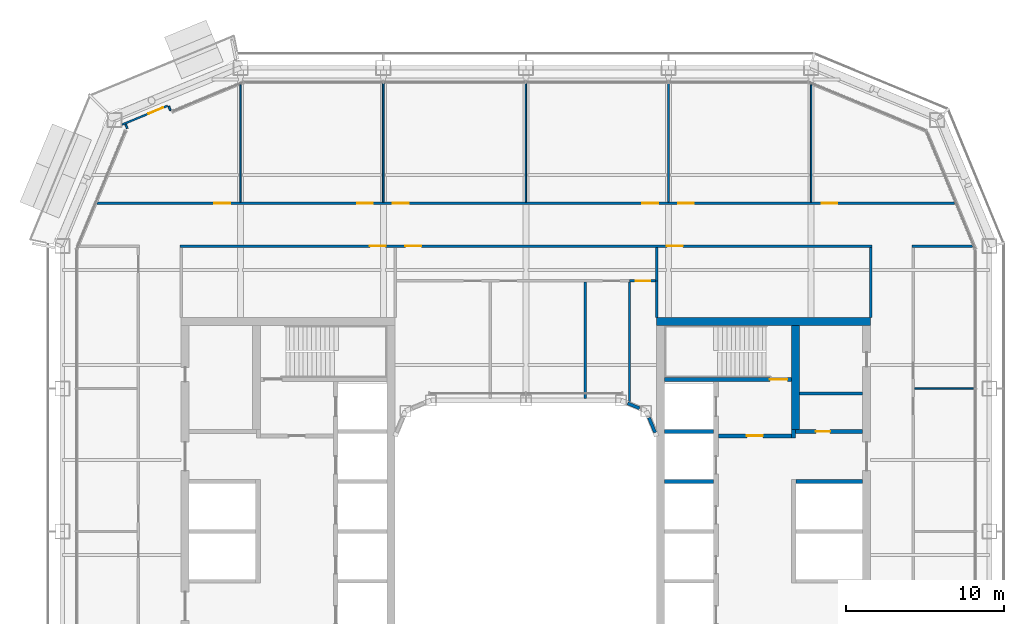
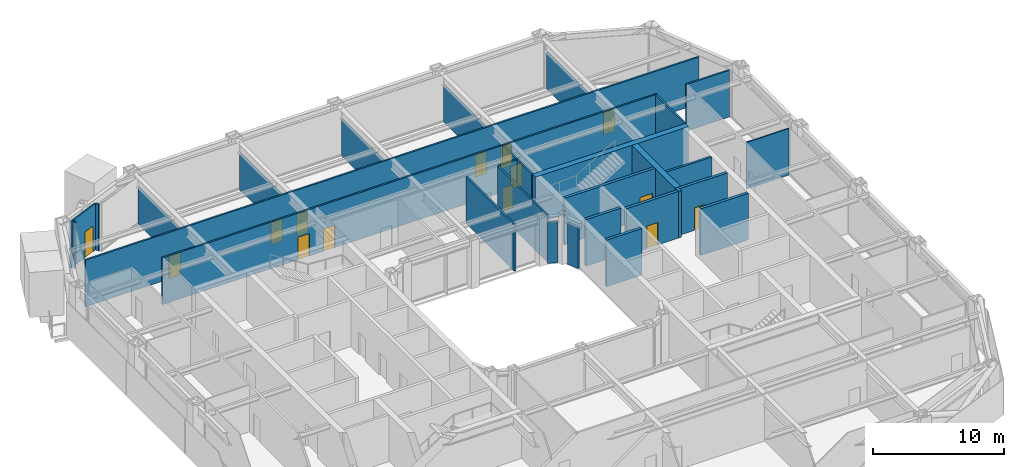
# One storey, part 14 of 23: 30 walls, 14 doors, 14 openings.
"""IFC4 building model written with IfcOpenShell, lengths in metres."""

from ifc_helpers import new_model, si_unit, direction, frame, frame_2d, origin, place, context, subcontext, project, spatial, rectangle, extrude, material, layer, layer_set, type_object, element, fill, save


model = new_model("IFC4")

# Units and contexts
model_context = context("Model", 3, precision=1e-05, world=origin(), true_north=direction((0.0, 1.0)))
body_context = subcontext(model_context, "Body", "Model", "MODEL_VIEW")
ifc_project = project(units=[si_unit("LENGTHUNIT", "METRE"), si_unit("AREAUNIT", "SQUARE_METRE"), si_unit("VOLUMEUNIT", "CUBIC_METRE"), si_unit("PLANEANGLEUNIT", "RADIAN"), si_unit("MASSUNIT", "GRAM", prefix="KILO")], contexts=[model_context])

# Site, building, storey
site_placement = place(None, origin())
site = spatial("IfcSite", under=ifc_project, at=site_placement, CompositionType="ELEMENT")
building_placement = place(site_placement, origin())
building = spatial("IfcBuilding", under=site, at=building_placement, Name="Siwar Civic Tower", CompositionType="ELEMENT")
storey_placement = place(building_placement, frame((0.0, 0.0, 118.199951171875)))
storey = spatial("IfcBuildingStorey", under=building, at=storey_placement, Name="L25", CompositionType="ELEMENT", Elevation=118.199951171875)

# Wall, opening, door
ifc_material_1 = material(Name="Gypsum board on steel studs", Category="steel")
ifc_layer_1 = layer(ifc_material_1, 0.14990234375)
ifc_layer_set_1 = layer_set([ifc_layer_1], Name="Gypsum board on steel studs")
wall_type_1 = type_object("IfcWallType", Name="COMPARTMENT PARTITION 150 EI 60", PredefinedType="PARTITIONING", material=ifc_layer_set_1)
wall_1_placement = place(storey_placement, frame((6.5400390625, 15.800048828125, 0.0), z_axis=(0.0, 0.0, 1.0), x_axis=(1.0, 0.0, 0.0)))
wall_1 = element("IfcWall", 1, at=wall_1_placement, inside=storey, type_object=wall_type_1, Name="L25/wall/P12", PredefinedType="PARTITIONING", context=body_context, shape_type="SweptSolid", body=[
    extrude(rectangle(XDim=1.635009765625, YDim=0.14990234375, at=frame_2d((0.8173828125, 0.0))), origin(), (0.0, 0.0, 1.0), 4.35009765625),
])
opening_1_placement = place(wall_1_placement, frame((0.39990234375, 0.0, 0.0)))
opening_1 = element("IfcOpeningElement", 2, at=opening_1_placement, cuts=wall_1, Name="Opening D4", PredefinedType="OPENING", context=body_context, shape_type="SweptSolid", body=[
    extrude(rectangle(XDim=0.89990234375, YDim=2.10009765625, at=frame_2d((0.449951171875, 1.050048828125))), frame((0.0, 0.0849609375, 0.0), z_axis=(0.0, -1.0, 0.0), x_axis=(1.0, 0.0, 0.0)), (0.0, 0.0, 1.0), 0.169921875),
])
ifc_material_2 = material(Name="Timber, painted", Category="wood")
door_type_1 = type_object("IfcDoorType", Name="DOOR 900 X 2100 FD60", OperationType="SINGLE_SWING_LEFT", PredefinedType="DOOR", material=ifc_material_2)
door_1_placement = place(opening_1_placement, origin())
door_1 = element("IfcDoor", 3, at=door_1_placement, inside=storey, type_object=door_type_1, Name="L25-D17", OperationType="SINGLE_SWING_LEFT", OverallHeight=2.10009765625, OverallWidth=0.89990234375, PredefinedType="DOOR", context=body_context, shape_type="SweptSolid", body=[
    extrude(rectangle(XDim=0.89990234375, YDim=2.10009765625, at=frame_2d((0.449951171875, 1.050048828125))), frame((0.0, 0.02490234375, 0.0), z_axis=(0.0, -1.0, 0.0), x_axis=(1.0, 0.0, 0.0)), (0.0, 0.0, 1.0), 0.050048828125),
])
fill(opening_1, door_1)

# Walls
wall_2_placement = place(storey_placement, frame((6.5400390625, 8.18603515625, 0.0), z_axis=(0.0, 0.0, 1.0), x_axis=(0.0, 1.0, 0.0)))
element("IfcWall", 4, at=wall_2_placement, inside=storey, type_object=wall_type_1, Name="L25/wall/P31", PredefinedType="PARTITIONING", context=body_context, shape_type="SweptSolid", body=[
    extrude(rectangle(XDim=7.5390625, YDim=0.14990234375, at=frame_2d((3.76953125, 0.0))), origin(), (0.0, 0.0, 1.0), 4.35009765625),
])
wall_3_placement = place(storey_placement, frame((8.25, 13.5, 0.0), z_axis=(0.0, 0.0, 1.0), x_axis=(0.0, 1.0, 0.0)))
element("IfcWall", 5, at=wall_3_placement, inside=storey, type_object=wall_type_1, Name="L25/wall/P34", PredefinedType="PARTITIONING", context=body_context, shape_type="SweptSolid", body=[
    extrude(rectangle(XDim=2.300048828125, YDim=0.14990234375, at=frame_2d((1.14990234375, 0.0))), origin(), (0.0, 0.0, 1.0), 4.35009765625),
])
ifc_material_3 = material(Name="Gypsum board on steel studs", Category="steel")
ifc_layer_2 = layer(ifc_material_3, 0.199951171875)
ifc_layer_set_2 = layer_set([ifc_layer_2], Name="Gypsum board on steel studs")
wall_type_2 = type_object("IfcWallType", Name="CORE-PARTITION-200", PredefinedType="PARTITIONING", material=ifc_layer_set_2)
wall_4_placement = place(storey_placement, frame((17.25, 8.699951171875, 0.0), z_axis=(0.0, 0.0, 1.0), x_axis=(1.0, 0.0, 0.0)))
element("IfcWall", 6, at=wall_4_placement, inside=storey, type_object=wall_type_2, Name="Core partition E", PredefinedType="PARTITIONING", context=body_context, shape_type="SweptSolid", body=[
    extrude(rectangle(XDim=4.0, YDim=0.199951171875, at=frame_2d((2.0, 0.0))), origin(), (0.0, 0.0, 1.0), 4.35009765625),
])

# Wall, opening, door
ifc_material_4 = material(Name="Concrete C60/75", Category="concrete")
ifc_layer_3 = layer(ifc_material_4, 0.25)
ifc_layer_set_3 = layer_set([ifc_layer_3], Name="Concrete C60/75")
wall_type_3 = type_object("IfcWallType", Name="CORE-WALL-RC250", PredefinedType="SHEAR", material=ifc_layer_set_3)
wall_5_placement = place(storey_placement, frame((12.14990234375, 6.02490234375, 0.0), z_axis=(0.0, 0.0, 1.0), x_axis=(1.0, 0.0, 0.0)))
wall_5 = element("IfcWall", 7, at=wall_5_placement, inside=storey, type_object=wall_type_3, Name="Core wall E", PredefinedType="SHEAR", context=body_context, shape_type="SweptSolid", body=[
    extrude(rectangle(XDim=4.60009765625, YDim=0.25, at=frame_2d((2.300048828125, 0.0))), origin(), (0.0, 0.0, 1.0), 4.35009765625),
])
opening_2_placement = place(wall_5_placement, frame((1.800048828125, 0.0, 0.0)))
opening_2 = element("IfcOpeningElement", 8, at=opening_2_placement, cuts=wall_5, Name="Opening L25-CE01", PredefinedType="OPENING", context=body_context, shape_type="SweptSolid", body=[
    extrude(rectangle(XDim=1.0, YDim=2.10009765625, at=frame_2d((0.5, 1.050048828125))), frame((0.0, 0.135009765625, 0.0), z_axis=(0.0, -1.0, 0.0), x_axis=(1.0, 0.0, 0.0)), (0.0, 0.0, 1.0), 0.27001953125),
])
ifc_material_5 = material(Name="Steel door leaf", Category="steel")
door_type_2 = type_object("IfcDoorType", Name="CORE-DOOR-FD30S", OperationType="SINGLE_SWING_LEFT", PredefinedType="DOOR", material=ifc_material_5)
door_2_placement = place(opening_2_placement, origin())
door_2 = element("IfcDoor", 9, at=door_2_placement, inside=storey, type_object=door_type_2, Name="Firefighting lobby door L25-CE01", OperationType="SINGLE_SWING_RIGHT", OverallHeight=2.10009765625, OverallWidth=1.0, PredefinedType="DOOR", context=body_context, shape_type="SweptSolid", body=[
    extrude(rectangle(XDim=1.0, YDim=2.10009765625, at=frame_2d((0.5, 1.050048828125))), frame((0.0, 0.02490234375, 0.0), z_axis=(0.0, -1.0, 0.0), x_axis=(1.0, 0.0, 0.0)), (0.0, 0.0, 1.0), 0.050048828125),
])
fill(opening_2, door_2)

# Wall
wall_6_placement = place(storey_placement, frame((16.875, 5.89990234375, 0.0), z_axis=(0.0, 0.0, 1.0), x_axis=(0.0, 1.0, 0.0)))
element("IfcWall", 10, at=wall_6_placement, inside=storey, type_object=wall_type_3, Name="Core wall E", PredefinedType="SHEAR", context=body_context, shape_type="SweptSolid", body=[
    extrude(rectangle(XDim=0.525146484375, YDim=0.25, at=frame_2d((0.2626953125, 0.0))), origin(), (0.0, 0.0, 1.0), 4.35009765625),
])

# Wall, opening, door
wall_7_placement = place(storey_placement, frame((17.0, 6.300048828125, 0.0), z_axis=(0.0, 0.0, 1.0), x_axis=(1.0, 0.0, 0.0)))
wall_7 = element("IfcWall", 11, at=wall_7_placement, inside=storey, type_object=wall_type_3, Name="Core wall E", PredefinedType="SHEAR", context=body_context, shape_type="SweptSolid", body=[
    extrude(rectangle(XDim=4.25, YDim=0.25, at=frame_2d((2.125, 0.0))), origin(), (0.0, 0.0, 1.0), 4.35009765625),
])
opening_3_placement = place(wall_7_placement, frame((1.300048828125, 0.0, 0.0)))
opening_3 = element("IfcOpeningElement", 12, at=opening_3_placement, cuts=wall_7, Name="Opening L25-CE13", PredefinedType="OPENING", context=body_context, shape_type="SweptSolid", body=[
    extrude(rectangle(XDim=0.89990234375, YDim=2.10009765625, at=frame_2d((0.449951171875, 1.050048828125))), frame((0.0, 0.135009765625, 0.0), z_axis=(0.0, -1.0, 0.0), x_axis=(1.0, 0.0, 0.0)), (0.0, 0.0, 1.0), 0.27001953125),
])
ifc_material_6 = material(Name="Steel door leaf", Category="steel")
door_type_3 = type_object("IfcDoorType", Name="CORE-DOOR-ROOM", OperationType="SINGLE_SWING_LEFT", PredefinedType="DOOR", material=ifc_material_6)
door_3_placement = place(opening_3_placement, origin())
door_3 = element("IfcDoor", 13, at=door_3_placement, inside=storey, type_object=door_type_3, Name="Core room door L25-CE13", OperationType="SINGLE_SWING_RIGHT", OverallHeight=2.10009765625, OverallWidth=0.89990234375, PredefinedType="DOOR", context=body_context, shape_type="SweptSolid", body=[
    extrude(rectangle(XDim=0.89990234375, YDim=2.10009765625, at=frame_2d((0.449951171875, 1.050048828125))), frame((0.0, 0.02490234375, 0.0), z_axis=(0.0, -1.0, 0.0), x_axis=(1.0, 0.0, 0.0)), (0.0, 0.0, 1.0), 0.050048828125),
])
fill(opening_3, door_3)

# Walls
wall_8_placement = place(storey_placement, frame((17.050048828125, 3.14990234375, 0.0), z_axis=(0.0, 0.0, 1.0), x_axis=(1.0, 0.0, 0.0)))
element("IfcWall", 14, at=wall_8_placement, inside=storey, type_object=wall_type_3, Name="Core wall E", PredefinedType="SHEAR", context=body_context, shape_type="SweptSolid", body=[
    extrude(rectangle(XDim=4.199951171875, YDim=0.25, at=frame_2d((2.10009765625, 0.0))), origin(), (0.0, 0.0, 1.0), 4.35009765625),
])
for number, where, z_axis, x_axis, name in (
    (15, (8.75, 3.14990234375, 0.0), (0.0, 0.0, 1.0), (1.0, 0.0, 0.0), "Core wall E"),
    (16, (8.75, 6.300048828125, 0.0), (0.0, 0.0, 1.0), (1.0, 0.0, 0.0), "Core wall E"),
):
    element("IfcWall", number, at=place(storey_placement, frame(where, z_axis=z_axis, x_axis=x_axis)), inside=storey, type_object=wall_type_3, Name=name, PredefinedType="SHEAR", context=body_context, shape_type="SweptSolid", body=[
        extrude(rectangle(XDim=3.10009765625, YDim=0.25, at=frame_2d((1.550048828125, 0.0))), origin(), (0.0, 0.0, 1.0), 4.35009765625),
    ])

# Wall, opening, door
wall_9_placement = place(storey_placement, frame((8.75, 9.574951171875, 0.0), z_axis=(0.0, 0.0, 1.0), x_axis=(1.0, 0.0, 0.0)))
wall_9 = element("IfcWall", 17, at=wall_9_placement, inside=storey, type_object=wall_type_3, Name="Core wall E", PredefinedType="SHEAR", context=body_context, shape_type="SweptSolid", body=[
    extrude(rectangle(XDim=8.0, YDim=0.25, at=frame_2d((4.0, 0.0))), origin(), (0.0, 0.0, 1.0), 4.35009765625),
])
opening_4_placement = place(wall_9_placement, frame((6.64990234375, 0.0, 0.0)))
opening_4 = element("IfcOpeningElement", 18, at=opening_4_placement, cuts=wall_9, Name="Opening L25-CE03", PredefinedType="OPENING", context=body_context, shape_type="SweptSolid", body=[
    extrude(rectangle(XDim=1.10009765625, YDim=2.10009765625, at=frame_2d((0.550048828125, 1.050048828125))), frame((0.0, 0.135009765625, 0.0), z_axis=(0.0, -1.0, 0.0), x_axis=(1.0, 0.0, 0.0)), (0.0, 0.0, 1.0), 0.27001953125),
])
ifc_material_7 = material(Name="Steel door leaf", Category="steel")
door_type_4 = type_object("IfcDoorType", Name="CORE-DOOR-FD60S", OperationType="SINGLE_SWING_LEFT", PredefinedType="DOOR", material=ifc_material_7)
door_4_placement = place(opening_4_placement, origin())
door_4 = element("IfcDoor", 19, at=door_4_placement, inside=storey, type_object=door_type_4, Name="Stair door L25-CE03", OperationType="SINGLE_SWING_LEFT", OverallHeight=2.10009765625, OverallWidth=1.10009765625, PredefinedType="DOOR", context=body_context, shape_type="SweptSolid", body=[
    extrude(rectangle(XDim=1.10009765625, YDim=2.10009765625, at=frame_2d((0.550048828125, 1.050048828125))), frame((0.0, 0.02490234375, 0.0), z_axis=(0.0, -1.0, 0.0), x_axis=(1.0, 0.0, 0.0)), (0.0, 0.0, 1.0), 0.050048828125),
])
fill(opening_4, door_4)

# Walls
ifc_material_8 = material(Name="Concrete C60/75", Category="concrete")
ifc_layer_4 = layer(ifc_material_8, 0.5)
ifc_layer_set_4 = layer_set([ifc_layer_4], Name="Concrete C60/75")
wall_type_4 = type_object("IfcWallType", Name="CORE-WALL-RC500", PredefinedType="SHEAR", material=ifc_layer_set_4)
wall_10_placement = place(storey_placement, frame((17.0, 6.425048828125, 0.0), z_axis=(0.0, 0.0, 1.0), x_axis=(0.0, 1.0, 0.0)))
element("IfcWall", 20, at=wall_10_placement, inside=storey, type_object=wall_type_4, Name="Core wall E", PredefinedType="SHEAR", context=body_context, shape_type="SweptSolid", body=[
    extrude(rectangle(XDim=6.574951171875, YDim=0.5, at=frame_2d((3.28759765625, 0.0))), origin(), (0.0, 0.0, 1.0), 4.35009765625),
])
wall_11_placement = place(storey_placement, frame((8.25, 13.25, 0.0), z_axis=(0.0, 0.0, 1.0), x_axis=(1.0, 0.0, 0.0)))
element("IfcWall", 21, at=wall_11_placement, inside=storey, type_object=wall_type_4, Name="Core wall E", PredefinedType="SHEAR", context=body_context, shape_type="SweptSolid", body=[
    extrude(rectangle(XDim=13.5, YDim=0.5, at=frame_2d((6.75, 0.0))), origin(), (0.0, 0.0, 1.0), 4.35009765625),
])

# Wall, openings, doors
ifc_material_9 = material(Name="Gypsum board on steel studs", Category="steel")
ifc_layer_5 = layer(ifc_material_9, 0.14990234375)
ifc_layer_set_5 = layer_set([ifc_layer_5], Name="Gypsum board on steel studs")
wall_type_5 = type_object("IfcWallType", Name="CORRIDOR PARTITION 150 EI 30", PredefinedType="PARTITIONING", material=ifc_layer_set_5)
wall_12_placement = place(storey_placement, frame((-21.824951171875, 18.0, 0.0), z_axis=(0.0, 0.0, 1.0), x_axis=(1.0, 0.0, 0.0)))
wall_12 = element("IfcWall", 22, at=wall_12_placement, inside=storey, type_object=wall_type_5, Name="L25/wall/P14", PredefinedType="PARTITIONING", context=body_context, shape_type="SweptSolid", body=[
    extrude(rectangle(XDim=43.64990234375, YDim=0.14990234375, at=frame_2d((21.824951171875, 0.0))), origin(), (0.0, 0.0, 1.0), 4.35009765625),
])
opening_5_placement = place(wall_12_placement, frame((14.22509765625, 0.0, 0.0)))
opening_5 = element("IfcOpeningElement", 23, at=opening_5_placement, cuts=wall_12, Name="Opening D1", PredefinedType="OPENING", context=body_context, shape_type="SweptSolid", body=[
    extrude(rectangle(XDim=1.0, YDim=2.10009765625, at=frame_2d((0.5, 1.050048828125))), frame((0.0, 0.0849609375, 0.0), z_axis=(0.0, -1.0, 0.0), x_axis=(1.0, 0.0, 0.0)), (0.0, 0.0, 1.0), 0.169921875),
])
opening_6_placement = place(wall_12_placement, frame((11.97509765625, 0.0, 0.0)))
opening_6 = element("IfcOpeningElement", 24, at=opening_6_placement, cuts=wall_12, Name="Opening D1", PredefinedType="OPENING", context=body_context, shape_type="SweptSolid", body=[
    extrude(rectangle(XDim=1.0, YDim=2.10009765625, at=frame_2d((0.5, 1.050048828125))), frame((0.0, 0.0849609375, 0.0), z_axis=(0.0, -1.0, 0.0), x_axis=(1.0, 0.0, 0.0)), (0.0, 0.0, 1.0), 0.169921875),
])
opening_7_placement = place(wall_12_placement, frame((30.72509765625, 0.0, 0.0)))
opening_7 = element("IfcOpeningElement", 25, at=opening_7_placement, cuts=wall_12, Name="Opening D1", PredefinedType="OPENING", context=body_context, shape_type="SweptSolid", body=[
    extrude(rectangle(XDim=1.0, YDim=2.10009765625, at=frame_2d((0.5, 1.050048828125))), frame((0.0, 0.0849609375, 0.0), z_axis=(0.0, -1.0, 0.0), x_axis=(1.0, 0.0, 0.0)), (0.0, 0.0, 1.0), 0.169921875),
])
ifc_material_10 = material(Name="Timber, painted", Category="wood")
door_type_5 = type_object("IfcDoorType", Name="DOOR 1000 X 2100 FD30", OperationType="SINGLE_SWING_LEFT", PredefinedType="DOOR", material=ifc_material_10)
door_5_placement = place(opening_5_placement, origin())
door_5 = element("IfcDoor", 26, at=door_5_placement, inside=storey, type_object=door_type_5, Name="L25-D13", OperationType="SINGLE_SWING_LEFT", OverallHeight=2.10009765625, OverallWidth=1.0, PredefinedType="DOOR", context=body_context, shape_type="SweptSolid", body=[
    extrude(rectangle(XDim=1.0, YDim=2.10009765625, at=frame_2d((0.5, 1.050048828125))), frame((0.0, 0.02490234375, 0.0), z_axis=(0.0, -1.0, 0.0), x_axis=(1.0, 0.0, 0.0)), (0.0, 0.0, 1.0), 0.050048828125),
])
fill(opening_5, door_5)
door_6_placement = place(opening_6_placement, origin())
door_6 = element("IfcDoor", 27, at=door_6_placement, inside=storey, type_object=door_type_5, Name="L25-D20", OperationType="SINGLE_SWING_RIGHT", OverallHeight=2.10009765625, OverallWidth=1.0, PredefinedType="DOOR", context=body_context, shape_type="SweptSolid", body=[
    extrude(rectangle(XDim=1.0, YDim=2.10009765625, at=frame_2d((0.5, 1.050048828125))), frame((0.0, 0.02490234375, 0.0), z_axis=(0.0, -1.0, 0.0), x_axis=(1.0, 0.0, 0.0)), (0.0, 0.0, 1.0), 0.050048828125),
])
fill(opening_6, door_6)
door_7_placement = place(opening_7_placement, origin())
door_7 = element("IfcDoor", 28, at=door_7_placement, inside=storey, type_object=door_type_5, Name="L25-D21", OperationType="SINGLE_SWING_LEFT", OverallHeight=2.10009765625, OverallWidth=1.0, PredefinedType="DOOR", context=body_context, shape_type="SweptSolid", body=[
    extrude(rectangle(XDim=1.0, YDim=2.10009765625, at=frame_2d((0.5, 1.050048828125))), frame((0.0, 0.02490234375, 0.0), z_axis=(0.0, -1.0, 0.0), x_axis=(1.0, 0.0, 0.0)), (0.0, 0.0, 1.0), 0.050048828125),
])
fill(opening_7, door_7)

# Wall
wall_13_placement = place(storey_placement, frame((24.375, 18.0, 0.0), z_axis=(0.0, 0.0, 1.0), x_axis=(1.0, 0.0, 0.0)))
element("IfcWall", 29, at=wall_13_placement, inside=storey, type_object=wall_type_5, Name="L25/wall/P15", PredefinedType="PARTITIONING", context=body_context, shape_type="SweptSolid", body=[
    extrude(rectangle(XDim=3.802978515625, YDim=0.14990234375, at=frame_2d((1.9013671875, 0.0))), origin(), (0.0, 0.0, 1.0), 4.35009765625),
])

# Wall, openings, doors
wall_14_placement = place(storey_placement, frame((-27.06005859375, 20.699951171875, 0.0), z_axis=(0.0, 0.0, 1.0), x_axis=(1.0, 0.0, 0.0)))
wall_14 = element("IfcWall", 30, at=wall_14_placement, inside=storey, type_object=wall_type_5, Name="L25/wall/P16", PredefinedType="PARTITIONING", context=body_context, shape_type="SweptSolid", body=[
    extrude(rectangle(XDim=54.1201171875, YDim=0.14990234375, at=frame_2d((27.06005859375, 0.0))), origin(), (0.0, 0.0, 1.0), 4.35009765625),
])
opening_8_placement = place(wall_14_placement, frame((16.409912109375, 0.0, 0.0)))
opening_8 = element("IfcOpeningElement", 31, at=opening_8_placement, cuts=wall_14, Name="Opening D1", PredefinedType="OPENING", context=body_context, shape_type="SweptSolid", body=[
    extrude(rectangle(XDim=1.0, YDim=2.10009765625, at=frame_2d((0.5, 1.050048828125))), frame((0.0, 0.0849609375, 0.0), z_axis=(0.0, -1.0, 0.0), x_axis=(1.0, 0.0, 0.0)), (0.0, 0.0, 1.0), 0.169921875),
])
opening_9_placement = place(wall_14_placement, frame((18.659912109375, 0.0, 0.0)))
opening_9 = element("IfcOpeningElement", 32, at=opening_9_placement, cuts=wall_14, Name="Opening D1", PredefinedType="OPENING", context=body_context, shape_type="SweptSolid", body=[
    extrude(rectangle(XDim=1.0, YDim=2.10009765625, at=frame_2d((0.5, 1.050048828125))), frame((0.0, 0.0849609375, 0.0), z_axis=(0.0, -1.0, 0.0), x_axis=(1.0, 0.0, 0.0)), (0.0, 0.0, 1.0), 0.169921875),
])
opening_10_placement = place(wall_14_placement, frame((34.409912109375, 0.0, 0.0)))
opening_10 = element("IfcOpeningElement", 33, at=opening_10_placement, cuts=wall_14, Name="Opening D1", PredefinedType="OPENING", context=body_context, shape_type="SweptSolid", body=[
    extrude(rectangle(XDim=1.0, YDim=2.10009765625, at=frame_2d((0.5, 1.050048828125))), frame((0.0, 0.0849609375, 0.0), z_axis=(0.0, -1.0, 0.0), x_axis=(1.0, 0.0, 0.0)), (0.0, 0.0, 1.0), 0.169921875),
])
opening_11_placement = place(wall_14_placement, frame((36.659912109375, 0.0, 0.0)))
opening_11 = element("IfcOpeningElement", 34, at=opening_11_placement, cuts=wall_14, Name="Opening D1", PredefinedType="OPENING", context=body_context, shape_type="SweptSolid", body=[
    extrude(rectangle(XDim=1.0, YDim=2.10009765625, at=frame_2d((0.5, 1.050048828125))), frame((0.0, 0.0849609375, 0.0), z_axis=(0.0, -1.0, 0.0), x_axis=(1.0, 0.0, 0.0)), (0.0, 0.0, 1.0), 0.169921875),
])
opening_12_placement = place(wall_14_placement, frame((7.409912109375, 0.0, 0.0)))
opening_12 = element("IfcOpeningElement", 35, at=opening_12_placement, cuts=wall_14, Name="Opening D1", PredefinedType="OPENING", context=body_context, shape_type="SweptSolid", body=[
    extrude(rectangle(XDim=1.0, YDim=2.10009765625, at=frame_2d((0.5, 1.050048828125))), frame((0.0, 0.0849609375, 0.0), z_axis=(0.0, -1.0, 0.0), x_axis=(1.0, 0.0, 0.0)), (0.0, 0.0, 1.0), 0.169921875),
])
opening_13_placement = place(wall_14_placement, frame((45.719970703125, 0.0, 0.0)))
opening_13 = element("IfcOpeningElement", 36, at=opening_13_placement, cuts=wall_14, Name="Opening D1", PredefinedType="OPENING", context=body_context, shape_type="SweptSolid", body=[
    extrude(rectangle(XDim=1.0, YDim=2.10009765625, at=frame_2d((0.5, 1.050048828125))), frame((0.0, 0.0849609375, 0.0), z_axis=(0.0, -1.0, 0.0), x_axis=(1.0, 0.0, 0.0)), (0.0, 0.0, 1.0), 0.169921875),
])
door_8_placement = place(opening_8_placement, origin())
door_8 = element("IfcDoor", 37, at=door_8_placement, inside=storey, type_object=door_type_5, Name="L25-D01", OperationType="SINGLE_SWING_LEFT", OverallHeight=2.10009765625, OverallWidth=1.0, PredefinedType="DOOR", context=body_context, shape_type="SweptSolid", body=[
    extrude(rectangle(XDim=1.0, YDim=2.10009765625, at=frame_2d((0.5, 1.050048828125))), frame((0.0, 0.02490234375, 0.0), z_axis=(0.0, -1.0, 0.0), x_axis=(1.0, 0.0, 0.0)), (0.0, 0.0, 1.0), 0.050048828125),
])
fill(opening_8, door_8)
door_9_placement = place(opening_9_placement, origin())
door_9 = element("IfcDoor", 38, at=door_9_placement, inside=storey, type_object=door_type_5, Name="L25-D02", OperationType="SINGLE_SWING_RIGHT", OverallHeight=2.10009765625, OverallWidth=1.0, PredefinedType="DOOR", context=body_context, shape_type="SweptSolid", body=[
    extrude(rectangle(XDim=1.0, YDim=2.10009765625, at=frame_2d((0.5, 1.050048828125))), frame((0.0, 0.02490234375, 0.0), z_axis=(0.0, -1.0, 0.0), x_axis=(1.0, 0.0, 0.0)), (0.0, 0.0, 1.0), 0.050048828125),
])
fill(opening_9, door_9)
door_10_placement = place(opening_10_placement, origin())
door_10 = element("IfcDoor", 39, at=door_10_placement, inside=storey, type_object=door_type_5, Name="L25-D03", OperationType="SINGLE_SWING_LEFT", OverallHeight=2.10009765625, OverallWidth=1.0, PredefinedType="DOOR", context=body_context, shape_type="SweptSolid", body=[
    extrude(rectangle(XDim=1.0, YDim=2.10009765625, at=frame_2d((0.5, 1.050048828125))), frame((0.0, 0.02490234375, 0.0), z_axis=(0.0, -1.0, 0.0), x_axis=(1.0, 0.0, 0.0)), (0.0, 0.0, 1.0), 0.050048828125),
])
fill(opening_10, door_10)
door_11_placement = place(opening_11_placement, origin())
door_11 = element("IfcDoor", 40, at=door_11_placement, inside=storey, type_object=door_type_5, Name="L25-D04", OperationType="SINGLE_SWING_RIGHT", OverallHeight=2.10009765625, OverallWidth=1.0, PredefinedType="DOOR", context=body_context, shape_type="SweptSolid", body=[
    extrude(rectangle(XDim=1.0, YDim=2.10009765625, at=frame_2d((0.5, 1.050048828125))), frame((0.0, 0.02490234375, 0.0), z_axis=(0.0, -1.0, 0.0), x_axis=(1.0, 0.0, 0.0)), (0.0, 0.0, 1.0), 0.050048828125),
])
fill(opening_11, door_11)
door_12_placement = place(opening_12_placement, origin())
door_12 = element("IfcDoor", 41, at=door_12_placement, inside=storey, type_object=door_type_5, Name="L25-D09", OperationType="SINGLE_SWING_LEFT", OverallHeight=2.10009765625, OverallWidth=1.0, PredefinedType="DOOR", context=body_context, shape_type="SweptSolid", body=[
    extrude(rectangle(XDim=1.0, YDim=2.10009765625, at=frame_2d((0.5, 1.050048828125))), frame((0.0, 0.02490234375, 0.0), z_axis=(0.0, -1.0, 0.0), x_axis=(1.0, 0.0, 0.0)), (0.0, 0.0, 1.0), 0.050048828125),
])
fill(opening_12, door_12)
door_13_placement = place(opening_13_placement, origin())
door_13 = element("IfcDoor", 42, at=door_13_placement, inside=storey, type_object=door_type_5, Name="L25-D10", OperationType="SINGLE_SWING_RIGHT", OverallHeight=2.10009765625, OverallWidth=1.0, PredefinedType="DOOR", context=body_context, shape_type="SweptSolid", body=[
    extrude(rectangle(XDim=1.0, YDim=2.10009765625, at=frame_2d((0.5, 1.050048828125))), frame((0.0, 0.02490234375, 0.0), z_axis=(0.0, -1.0, 0.0), x_axis=(1.0, 0.0, 0.0)), (0.0, 0.0, 1.0), 0.050048828125),
])
fill(opening_13, door_13)

# Walls
wall_15_placement = place(storey_placement, frame((3.75, 8.3701171875, 0.0), z_axis=(0.0, 0.0, 1.0), x_axis=(0.0, 1.0, 0.0)))
element("IfcWall", 43, at=wall_15_placement, inside=storey, type_object=wall_type_5, Name="L25/wall/P30", PredefinedType="PARTITIONING", context=body_context, shape_type="SweptSolid", body=[
    extrude(rectangle(XDim=7.35498046875, YDim=0.14990234375, at=frame_2d((3.677490234375, 0.0))), origin(), (0.0, 0.0, 1.0), 4.35009765625),
])
wall_16_placement = place(storey_placement, frame((8.25, 15.800048828125, 0.0), z_axis=(0.0, 0.0, 1.0), x_axis=(0.0, 1.0, 0.0)))
element("IfcWall", 44, at=wall_16_placement, inside=storey, type_object=wall_type_5, Name="L25/wall/P33", PredefinedType="PARTITIONING", context=body_context, shape_type="SweptSolid", body=[
    extrude(rectangle(XDim=2.125, YDim=0.14990234375, at=frame_2d((1.0625, 0.0))), origin(), (0.0, 0.0, 1.0), 4.35009765625),
])
wall_17_placement = place(storey_placement, frame((21.75, 13.5, 0.0), z_axis=(0.0, 0.0, 1.0), x_axis=(0.0, 1.0, 0.0)))
element("IfcWall", 45, at=wall_17_placement, inside=storey, type_object=wall_type_5, Name="L25/wall/P40", PredefinedType="PARTITIONING", context=body_context, shape_type="SweptSolid", body=[
    extrude(rectangle(XDim=4.425048828125, YDim=0.14990234375, at=frame_2d((2.21240234375, 0.0))), origin(), (0.0, 0.0, 1.0), 4.35009765625),
])
ifc_material_11 = material(Name="Aluminium clad insulated panel", Category="aluminium")
ifc_layer_6 = layer(ifc_material_11, 0.1201171875)
ifc_layer_set_6 = layer_set([ifc_layer_6], Name="Aluminium clad insulated panel")
wall_type_6 = type_object("IfcWallType", Name="ENV-WALL-BAL", PredefinedType="STANDARD", material=ifc_layer_set_6)
for number, where, z_axis, x_axis, name in (
    (46, (-22.42529296875, 26.551025390625, 0.0), (0.0, 0.0, 1.0), (-0.382103986862, 0.924119333865, 0.0), "Balcony door wall return NW1"),
    (47, (-25.153076171875, 25.421142578125, 0.0), (0.0, 0.0, 1.0), (-0.383120166156, 0.923698510492, 0.0), "Balcony door wall return NW1"),
):
    element("IfcWall", number, at=place(storey_placement, frame(where, z_axis=z_axis, x_axis=x_axis)), inside=storey, type_object=wall_type_6, Name=name, PredefinedType="STANDARD", context=body_context, shape_type="SweptSolid", body=[
        extrude(rectangle(XDim=0.2900390625, YDim=0.1201171875, at=frame_2d((0.14501953125, 0.0))), origin(), (0.0, 0.0, 1.0), 4.35009765625),
    ])

# Wall, opening, door
wall_18_placement = place(storey_placement, frame((-22.614501953125, 26.8515625, 0.0), z_axis=(0.0, 0.0, 1.0), x_axis=(-0.923869084389, -0.382708655389, 0.0)))
wall_18 = element("IfcWall", 48, at=wall_18_placement, inside=storey, type_object=wall_type_6, Name="Balcony door wall NW1", PredefinedType="STANDARD", context=body_context, shape_type="SweptSolid", body=[
    extrude(rectangle(XDim=3.1015625, YDim=0.1201171875, at=frame_2d((1.55078125, 0.0))), origin(), (0.0, 0.0, 1.0), 4.35009765625),
])
opening_14_placement = place(wall_18_placement, frame((0.300048828125, 0.0, 0.0)))
opening_14 = element("IfcOpeningElement", 49, at=opening_14_placement, cuts=wall_18, Name="Opening D-BAL", PredefinedType="OPENING", context=body_context, shape_type="SweptSolid", body=[
    extrude(rectangle(XDim=1.0, YDim=2.39990234375, at=frame_2d((0.5, 1.199951171875))), frame((0.0, 0.070068359375, 0.0), z_axis=(0.0, -1.0, 0.0), x_axis=(1.0, 0.0, 0.0)), (0.0, 0.0, 1.0), 0.14013671875),
])
ifc_material_12 = material(Name="Aluminium and glass", Category="aluminium")
door_type_6 = type_object("IfcDoorType", Name="ENV-DOOR-BAL", OperationType="SINGLE_SWING_LEFT", PredefinedType="DOOR", material=ifc_material_12)
door_14_placement = place(opening_14_placement, origin())
door_14 = element("IfcDoor", 50, at=door_14_placement, inside=storey, type_object=door_type_6, Name="Balcony door NW", OperationType="SINGLE_SWING_LEFT", OverallHeight=2.39990234375, OverallWidth=1.0, PredefinedType="DOOR", context=body_context, shape_type="SweptSolid", body=[
    extrude(rectangle(XDim=1.0, YDim=2.39990234375, at=frame_2d((0.5, 1.199951171875))), frame((0.0, 0.02490234375, 0.0), z_axis=(0.0, -1.0, 0.0), x_axis=(1.0, 0.0, 0.0)), (0.0, 0.0, 1.0), 0.050048828125),
])
fill(opening_14, door_14)

# Walls
ifc_material_13 = material(Name="Aluminium clad insulated panel", Category="aluminium")
ifc_layer_7 = layer(ifc_material_13, 0.199951171875)
ifc_layer_set_7 = layer_set([ifc_layer_7], Name="Aluminium clad insulated panel")
wall_type_7 = type_object("IfcWallType", Name="ENV-WALL-WELL", PredefinedType="STANDARD", material=ifc_layer_set_7)
wall_19_placement = place(storey_placement, frame((8.154296875, 6.23095703125, 0.0), z_axis=(0.0, 0.0, 1.0), x_axis=(-0.382769662028, 0.923843810301, 0.0)))
element("IfcWall", 51, at=wall_19_placement, inside=storey, type_object=wall_type_7, Name="Light well corner wall NE1", PredefinedType="STANDARD", context=body_context, shape_type="SweptSolid", body=[
    extrude(rectangle(XDim=1.014892578125, YDim=0.199951171875, at=frame_2d((0.50732421875, 0.0))), origin(), (0.0, 0.0, 1.0), 3.825927734375),
])
wall_20_placement = place(storey_placement, frame((7.16845703125, 7.765869140625, 0.0), z_axis=(0.0, 0.0, 1.0), x_axis=(-0.923817771127, 0.382832503518, 0.0)))
element("IfcWall", 52, at=wall_20_placement, inside=storey, type_object=wall_type_7, Name="Light well corner wall NE2", PredefinedType="STANDARD", context=body_context, shape_type="SweptSolid", body=[
    extrude(rectangle(XDim=0.807373046875, YDim=0.199951171875, at=frame_2d((0.40380859375, 0.0))), origin(), (0.0, 0.0, 1.0), 3.825927734375),
])
ifc_material_14 = material(Name="Gypsum board on steel studs", Category="steel")
ifc_layer_8 = layer(ifc_material_14, 0.10009765625)
ifc_layer_set_8 = layer_set([ifc_layer_8], Name="Gypsum board on steel studs")
wall_type_8 = type_object("IfcWallType", Name="PARTITION 100 GYPSUM", PredefinedType="PARTITIONING", material=ifc_layer_set_8)
wall_21_placement = place(storey_placement, frame((24.52490234375, 9.0, 0.0), z_axis=(0.0, 0.0, 1.0), x_axis=(1.0, 0.0, 0.0)))
element("IfcWall", 53, at=wall_21_placement, inside=storey, type_object=wall_type_8, Name="L25/wall/P10", PredefinedType="PARTITIONING", context=body_context, shape_type="SweptSolid", body=[
    extrude(rectangle(XDim=3.735107421875, YDim=0.10009765625, at=frame_2d((1.86767578125, 0.0))), origin(), (0.0, 0.0, 1.0), 4.35009765625),
])
wall_22_placement = place(storey_placement, frame((-18.0, 20.77490234375, 0.0), z_axis=(0.0, 0.0, 1.0), x_axis=(0.0, 1.0, 0.0)))
element("IfcWall", 54, at=wall_22_placement, inside=storey, type_object=wall_type_8, Name="L25/wall/P21", PredefinedType="PARTITIONING", context=body_context, shape_type="SweptSolid", body=[
    extrude(rectangle(XDim=7.403076171875, YDim=0.10009765625, at=frame_2d((3.70166015625, 0.0))), origin(), (0.0, 0.0, 1.0), 3.449951171875),
])
for number, where, z_axis, x_axis, name in (
    (55, (-9.0, 20.77490234375, 0.0), (0.0, 0.0, 1.0), (0.0, 1.0, 0.0), "L25/wall/P23"),
    (56, (0.0, 20.77490234375, 0.0), (0.0, 0.0, 1.0), (0.0, 1.0, 0.0), "L25/wall/P29"),
    (57, (9.0, 20.77490234375, 0.0), (0.0, 0.0, 1.0), (0.0, 1.0, 0.0), "L25/wall/P36"),
):
    element("IfcWall", number, at=place(storey_placement, frame(where, z_axis=z_axis, x_axis=x_axis)), inside=storey, type_object=wall_type_8, Name=name, PredefinedType="PARTITIONING", context=body_context, shape_type="SweptSolid", body=[
        extrude(rectangle(XDim=7.485107421875, YDim=0.10009765625, at=frame_2d((3.74267578125, 0.0))), origin(), (0.0, 0.0, 1.0), 3.449951171875),
    ])
wall_23_placement = place(storey_placement, frame((18.0, 20.77490234375, 0.0), z_axis=(0.0, 0.0, 1.0), x_axis=(0.0, 1.0, 0.0)))
element("IfcWall", 58, at=wall_23_placement, inside=storey, type_object=wall_type_8, Name="L25/wall/P38", PredefinedType="PARTITIONING", context=body_context, shape_type="SweptSolid", body=[
    extrude(rectangle(XDim=7.403076171875, YDim=0.10009765625, at=frame_2d((3.70166015625, 0.0))), origin(), (0.0, 0.0, 1.0), 3.449951171875),
])

save(model, "model.ifc")
